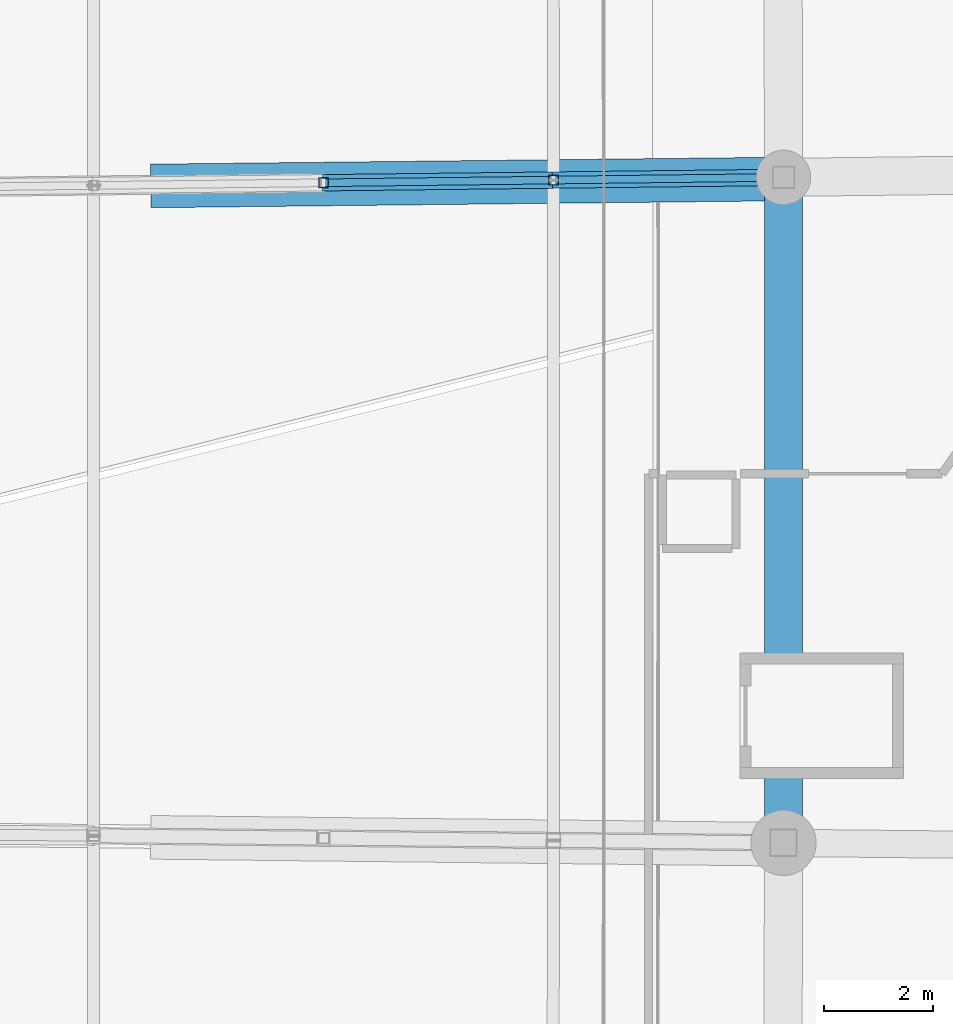
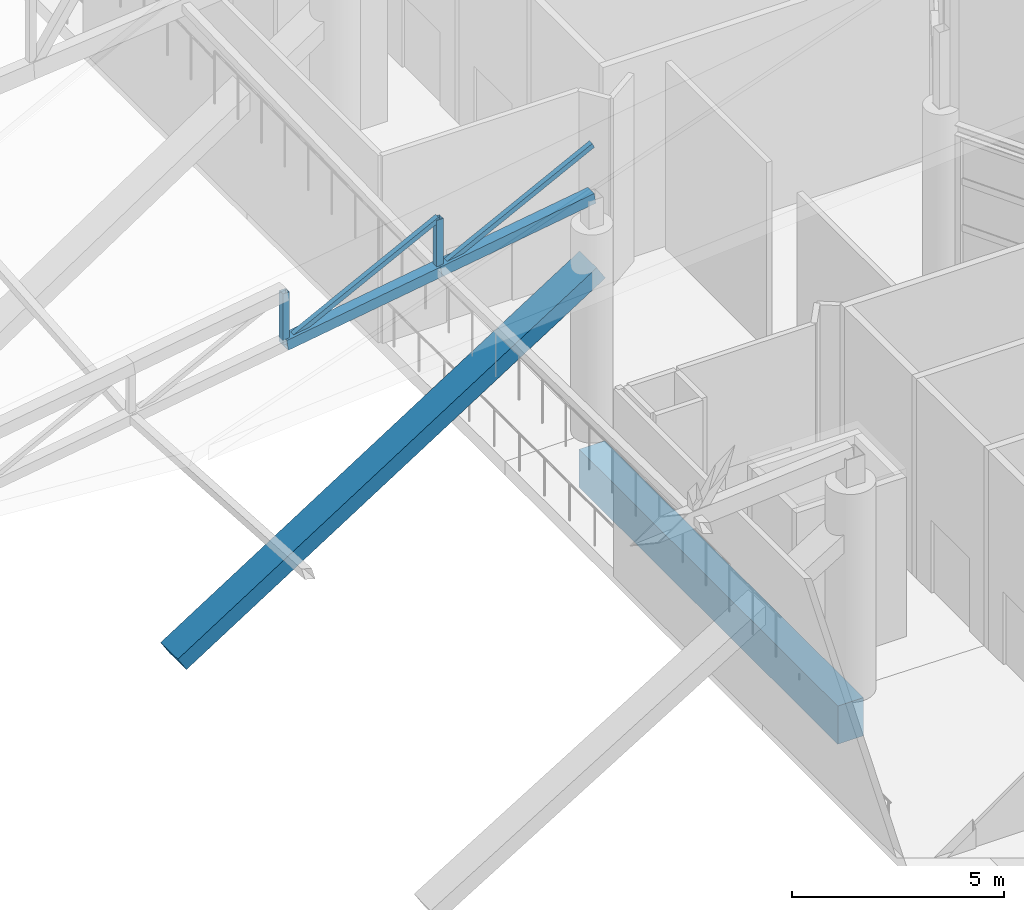
# One storey, part 110 of 344: 6 members, 2 beams.
"""IFC4 building model written with IfcOpenShell, lengths in metres."""

from ifc_helpers import new_model, si_unit, direction, frame, origin, origin_2d, place, context, subcontext, project, spatial, rectangle, hollow_rectangle, extrude, material, material_profile, profile_set, type_object, element, save


model = new_model("IFC4")

# Units and contexts
model_context = context("Model", 3, precision=1e-05, world=origin(), true_north=direction((0.0, 1.0)))
body_context = subcontext(model_context, "Body", "Model", "MODEL_VIEW")
ifc_project = project(units=[si_unit("LENGTHUNIT", "METRE"), si_unit("AREAUNIT", "SQUARE_METRE"), si_unit("VOLUMEUNIT", "CUBIC_METRE"), si_unit("PLANEANGLEUNIT", "RADIAN"), si_unit("MASSUNIT", "GRAM", prefix="KILO")], contexts=[model_context])

# Site, building, storey
site_placement = place(None, origin())
site = spatial("IfcSite", under=ifc_project, at=site_placement, CompositionType="ELEMENT")
building_placement = place(site_placement, origin())
building = spatial("IfcBuilding", under=site, at=building_placement, Name="Meseta Stadium", CompositionType="ELEMENT")
storey_placement = place(building_placement, frame((0.0, 0.0, 24.0)))
storey = spatial("IfcBuildingStorey", under=building, at=storey_placement, Name="L04", CompositionType="ELEMENT", Elevation=24.0)

# Beams
ifc_material_1 = material(Name="Concrete C40/50", Category="concrete")
ifc_material_profile_1 = material_profile(ifc_material_1, rectangle(XDim=0.699951171875, YDim=1.10009765625, at=origin_2d()), Name="RC 700x1100")
ifc_profile_set_1 = profile_set([ifc_material_profile_1], Name="Concrete C40/50")
beam_type_1 = type_object("IfcBeamType", Name="RC beam 700x1100", PredefinedType="BEAM", material=ifc_profile_set_1)
beam_1_placement = place(storey_placement, frame((84.99755859375, -6.081298828125, -0.949951171875), z_axis=(-3.9962435e-05, 0.999999999202, 0.0), x_axis=(-0.999999999202, -3.9962435e-05, 0.0)))
element("IfcBeam", 1, at=beam_1_placement, inside=storey, type_object=beam_type_1, Name="L04 ring beam frame 4 line P", PredefinedType="BEAM", context=body_context, shape_type="SweptSolid", body=[
    extrude(rectangle(XDim=0.699951171875, YDim=1.10009765625, at=origin_2d()), origin(), (0.0, 0.0, 1.0), 12.218505859375),
])
ifc_material_2 = material(Name="Concrete C40/50", Category="concrete")
ifc_material_profile_2 = material_profile(ifc_material_2, rectangle(XDim=0.800048828125, YDim=0.449951171875, at=origin_2d()), Name="RC 800x450")
ifc_profile_set_2 = profile_set([ifc_material_profile_2], Name="Concrete C40/50")
beam_type_2 = type_object("IfcBeamType", Name="RC raker upper rear 800x450", PredefinedType="USERDEFINED", material=ifc_profile_set_2)
beam_2_placement = place(storey_placement, frame((73.498046875, 5.981201171875, -2.3662109375), z_axis=(0.847962583071, 0.009307587003, 0.529974364036), x_axis=(-0.010975751222, 0.999939764628, 0.0)))
element("IfcBeam", 2, at=beam_2_placement, inside=storey, type_object=beam_type_2, Name="Raker upper rear frame 5 upper tier", ObjectType="RAKER", PredefinedType="USERDEFINED", context=body_context, shape_type="SweptSolid", body=[
    extrude(rectangle(XDim=0.800048828125, YDim=0.449951171875, at=origin_2d()), origin(), (0.0, 0.0, 1.0), 13.56103515625),
])

# Members
ifc_material_3 = material(Name="Steel S355", Category="steel")
ifc_material_profile_3 = material_profile(ifc_material_3, hollow_rectangle(XDim=0.139892578125, YDim=0.139892578125, WallThickness=0.0048828125, at=origin_2d()), Name="SHS 140x140x5")
ifc_profile_set_3 = profile_set([ifc_material_profile_3], Name="Steel S355")
member_type_1 = type_object("IfcMemberType", Name="SHS 140x140x5 diagonal", PredefinedType="BRACE", material=ifc_profile_set_3)
member_1_placement = place(storey_placement, frame((76.55322265625, 6.0380859375, 5.57421875), z_axis=(0.896122355516, 0.010519449382, 0.443682392178), x_axis=(-0.011738045144, 0.999931106775, 0.0)))
element("IfcMember", 3, at=member_1_placement, inside=storey, type_object=member_type_1, Name="ROOF TRUSS RT-05 diagonal", PredefinedType="BRACE", context=body_context, shape_type="SweptSolid", body=[
    extrude(hollow_rectangle(XDim=0.139892578125, YDim=0.139892578125, WallThickness=0.0048828125, at=origin_2d()), origin(), (0.0, 0.0, 1.0), 4.71142578125),
])
member_2_placement = place(storey_placement, frame((80.775146484375, 6.087646484375, 6.187255859375), z_axis=(0.896142958309, 0.010519691236, 0.443640771762), x_axis=(-0.011738045144, 0.999931106775, 0.0)))
element("IfcMember", 4, at=member_2_placement, inside=storey, type_object=member_type_1, Name="ROOF TRUSS RT-05 diagonal", PredefinedType="BRACE", context=body_context, shape_type="SweptSolid", body=[
    extrude(hollow_rectangle(XDim=0.139892578125, YDim=0.139892578125, WallThickness=0.0048828125, at=origin_2d()), origin(), (0.0, 0.0, 1.0), 4.711181640625),
])
ifc_material_4 = material(Name="Steel S355", Category="steel")
ifc_material_profile_4 = material_profile(ifc_material_4, hollow_rectangle(XDim=0.179931640625, YDim=0.179931640625, WallThickness=0.00634765625, at=origin_2d()), Name="SHS 180x180x6.3")
ifc_profile_set_4 = profile_set([ifc_material_profile_4], Name="Steel S355")
member_type_2 = type_object("IfcMemberType", Name="SHS 180x180x6.3 post", PredefinedType="POST", material=ifc_profile_set_4)
member_3_placement = place(storey_placement, frame((76.55322265625, 6.0380859375, 5.57421875), z_axis=(0.0, 0.0, 1.0), x_axis=(1.0, 0.0, 0.0)))
element("IfcMember", 5, at=member_3_placement, inside=storey, type_object=member_type_2, Name="ROOF TRUSS RT-05 post", PredefinedType="POST", context=body_context, shape_type="SweptSolid", body=[
    extrude(hollow_rectangle(XDim=0.179931640625, YDim=0.179931640625, WallThickness=0.00634765625, at=origin_2d()), origin(), (0.0, 0.0, 1.0), 1.4775390625),
])
member_4_placement = place(storey_placement, frame((80.775146484375, 6.087646484375, 6.187255859375), z_axis=(0.0, 0.0, 1.0), x_axis=(1.0, 0.0, 0.0)))
element("IfcMember", 6, at=member_4_placement, inside=storey, type_object=member_type_2, Name="ROOF TRUSS RT-05 post", PredefinedType="POST", context=body_context, shape_type="SweptSolid", body=[
    extrude(hollow_rectangle(XDim=0.179931640625, YDim=0.179931640625, WallThickness=0.00634765625, at=origin_2d()), origin(), (0.0, 0.0, 1.0), 1.477294921875),
])
ifc_material_5 = material(Name="Steel S355", Category="steel")
ifc_material_profile_5 = material_profile(ifc_material_5, hollow_rectangle(XDim=0.300048828125, YDim=0.300048828125, WallThickness=0.010009765625, at=origin_2d()), Name="SHS 300x300x10")
ifc_profile_set_5 = profile_set([ifc_material_profile_5], Name="Steel S355")
member_type_3 = type_object("IfcMemberType", Name="SHS 300x300x10 bottom chord", PredefinedType="CHORD", material=ifc_profile_set_5)
member_5_placement = place(storey_placement, frame((76.55322265625, 6.0380859375, 5.57421875), z_axis=(0.989555060386, 0.011616242252, 0.143686622138), x_axis=(-0.011738045144, 0.999931106775, 0.0)))
element("IfcMember", 7, at=member_5_placement, inside=storey, type_object=member_type_3, Name="ROOF TRUSS RT-05 bottom chord", PredefinedType="CHORD", context=body_context, shape_type="SweptSolid", body=[
    extrude(hollow_rectangle(XDim=0.300048828125, YDim=0.300048828125, WallThickness=0.010009765625, at=origin_2d()), origin(), (0.0, 0.0, 1.0), 4.2666015625),
])
member_6_placement = place(storey_placement, frame((80.775146484375, 6.087646484375, 6.187255859375), z_axis=(0.989563195146, 0.011616337744, 0.143630579993), x_axis=(-0.011738045144, 0.999931106775, 0.0)))
element("IfcMember", 8, at=member_6_placement, inside=storey, type_object=member_type_3, Name="ROOF TRUSS RT-05 bottom chord", PredefinedType="CHORD", context=body_context, shape_type="SweptSolid", body=[
    extrude(hollow_rectangle(XDim=0.300048828125, YDim=0.300048828125, WallThickness=0.010009765625, at=origin_2d()), origin(), (0.0, 0.0, 1.0), 4.266357421875),
])

save(model, "model.ifc")
